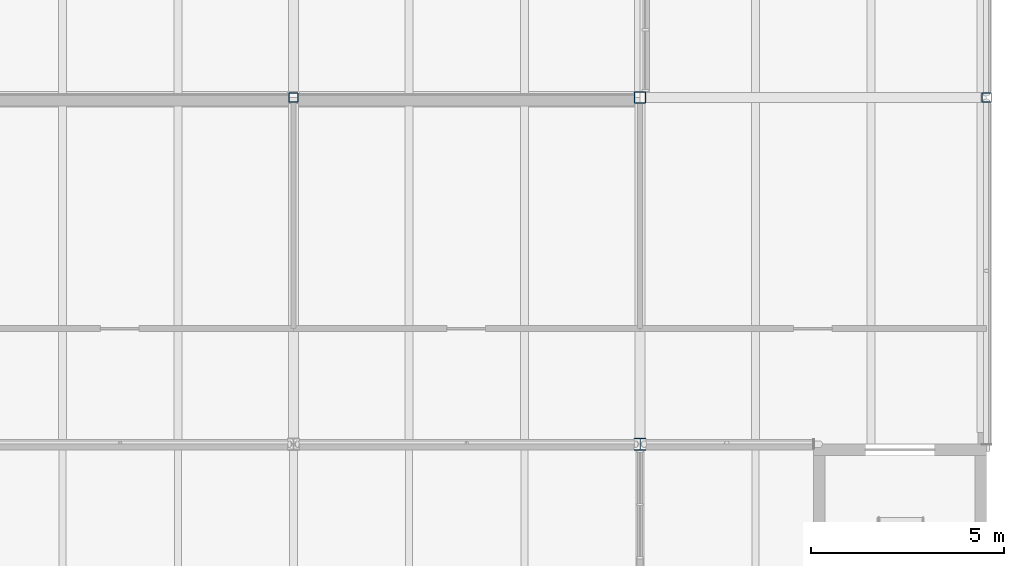
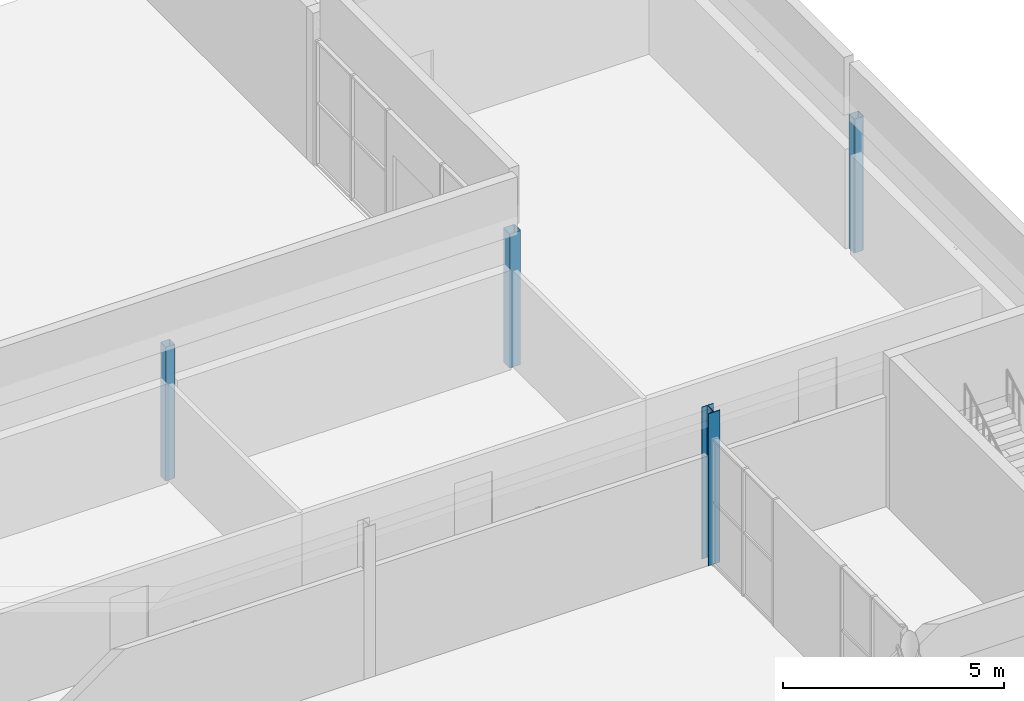
# One storey, part 7 of 61: 4 columns.
"""IFC4 building model written with IfcOpenShell, lengths in metres."""

from ifc_helpers import new_model, si_unit, direction, frame, origin, origin_2d, place, context, subcontext, project, spatial, hollow_rectangle, i_section, extrude, material, material_profile, profile_set, type_object, element, save


model = new_model("IFC4")

# Units and contexts
model_context = context("Model", 3, precision=1e-05, world=origin(), true_north=direction((0.0, 1.0)))
body_context = subcontext(model_context, "Body", "Model", "MODEL_VIEW")
ifc_project = project(units=[si_unit("LENGTHUNIT", "METRE"), si_unit("AREAUNIT", "SQUARE_METRE"), si_unit("VOLUMEUNIT", "CUBIC_METRE"), si_unit("PLANEANGLEUNIT", "RADIAN"), si_unit("MASSUNIT", "GRAM", prefix="KILO")], contexts=[model_context])

# Site, building, storey
site_placement = place(None, origin())
site = spatial("IfcSite", under=ifc_project, at=site_placement, CompositionType="ELEMENT")
building_placement = place(site_placement, origin())
building = spatial("IfcBuilding", under=site, at=building_placement, Name="Halyard Row Museum", CompositionType="ELEMENT")
storey_placement = place(building_placement, frame((0.0, 0.0, 9.199951171875)))
storey = spatial("IfcBuildingStorey", under=building, at=storey_placement, Name="L02", CompositionType="ELEMENT", Elevation=9.199951171875)

# Columns
ifc_material_1 = material(Name="Steel Grade C350L0", Category="steel")
ifc_material_profile_1 = material_profile(ifc_material_1, hollow_rectangle(XDim=0.25, YDim=0.25, WallThickness=0.010009765625, InnerFilletRadius=0.014892578125, OuterFilletRadius=0.02490234375, at=origin_2d()), Name="250x250x10.0SHS")
ifc_profile_set_1 = profile_set([ifc_material_profile_1], Name="Steel Grade C350L0")
column_type_1 = type_object("IfcColumnType", Name="Column 250x250x10.0SHS edge", PredefinedType="COLUMN", material=ifc_profile_set_1)
for number, where, z_axis, x_axis, name in (
    (1, (90.0, 45.0, 0.0), (0.0, 0.0, 1.0), (1.0, 0.0, 0.0), "Column 11F L02"),
    (2, (108.0, 45.0, 0.0), (0.0, 0.0, 1.0), (1.0, 0.0, 0.0), "Column 13F L02"),
):
    element("IfcColumn", number, at=place(storey_placement, frame(where, z_axis=z_axis, x_axis=x_axis)), inside=storey, type_object=column_type_1, Name=name, PredefinedType="COLUMN", context=body_context, shape_type="SweptSolid", body=[
        extrude(hollow_rectangle(XDim=0.25, YDim=0.25, WallThickness=0.010009765625, InnerFilletRadius=0.014892578125, OuterFilletRadius=0.02490234375, at=origin_2d()), origin(), (0.0, 0.0, 1.0), 3.699951171875),
    ])
ifc_material_2 = material(Name="Steel Grade C350L0", Category="steel")
ifc_material_profile_2 = material_profile(ifc_material_2, hollow_rectangle(XDim=0.300048828125, YDim=0.300048828125, WallThickness=0.010009765625, InnerFilletRadius=0.014892578125, OuterFilletRadius=0.02490234375, at=origin_2d()), Name="300x300x10.0SHS")
ifc_profile_set_2 = profile_set([ifc_material_profile_2], Name="Steel Grade C350L0")
column_type_2 = type_object("IfcColumnType", Name="Column 300x300x10.0SHS edge", PredefinedType="COLUMN", material=ifc_profile_set_2)
column_1_placement = place(storey_placement, frame((99.0, 45.0, 0.0), z_axis=(0.0, 0.0, 1.0), x_axis=(1.0, 0.0, 0.0)))
element("IfcColumn", 3, at=column_1_placement, inside=storey, type_object=column_type_2, Name="Column 12F L02", PredefinedType="COLUMN", context=body_context, shape_type="SweptSolid", body=[
    extrude(hollow_rectangle(XDim=0.300048828125, YDim=0.300048828125, WallThickness=0.010009765625, InnerFilletRadius=0.014892578125, OuterFilletRadius=0.02490234375, at=origin_2d()), origin(), (0.0, 0.0, 1.0), 3.699951171875),
])
ifc_material_3 = material(Name="Steel Grade 300", Category="steel")
ifc_material_profile_3 = material_profile(ifc_material_3, i_section(OverallWidth=0.30908203125, OverallDepth=0.320556640625, WebThickness=0.013916015625, FlangeThickness=0.021728515625, FilletRadius=0.0166015625, at=origin_2d()), Name="310UC137")
ifc_profile_set_3 = profile_set([ifc_material_profile_3], Name="Steel Grade 300")
column_type_3 = type_object("IfcColumnType", Name="Column 310UC137 interior", PredefinedType="COLUMN", material=ifc_profile_set_3)
column_2_placement = place(storey_placement, frame((99.0, 36.0, 0.0), z_axis=(0.0, 0.0, 1.0), x_axis=(1.0, 0.0, 0.0)))
element("IfcColumn", 4, at=column_2_placement, inside=storey, type_object=column_type_3, Name="Column 12E L02", PredefinedType="COLUMN", context=body_context, shape_type="SweptSolid", body=[
    extrude(i_section(OverallWidth=0.30908203125, OverallDepth=0.320556640625, WebThickness=0.013916015625, FlangeThickness=0.021728515625, FilletRadius=0.0166015625, at=origin_2d()), origin(), (0.0, 0.0, 1.0), 4.199951171875),
])

save(model, "model.ifc")
